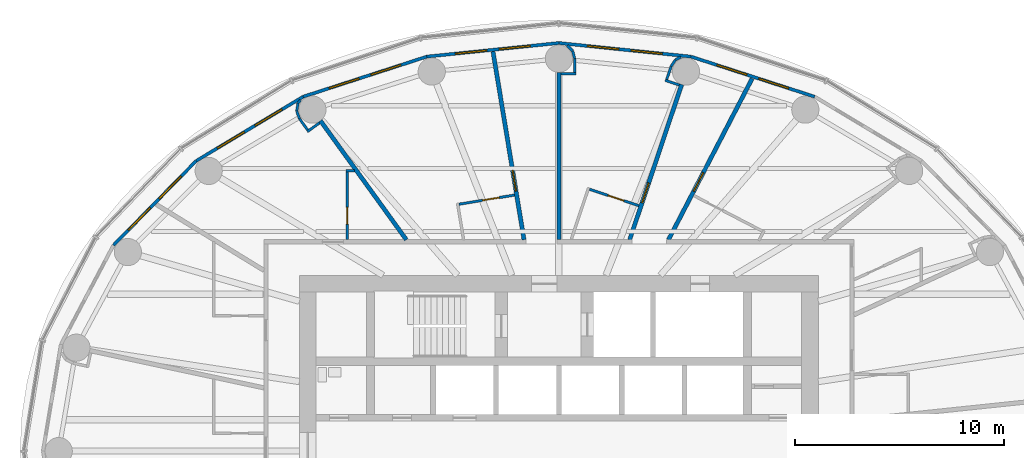
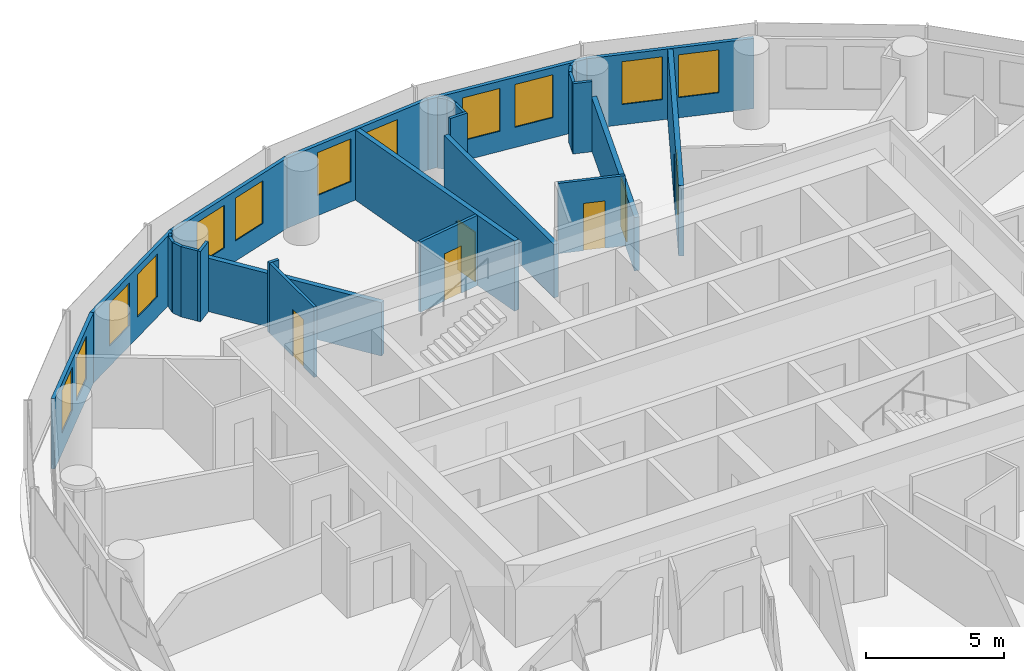
# One storey, part 11 of 14: 28 walls, 12 windows, 6 doors, 18 openings.
"""IFC4 building model written with IfcOpenShell, lengths in metres."""

from ifc_helpers import new_model, si_unit, direction, frame, frame_2d, origin, place, context, subcontext, project, spatial, rectangle, extrude, material, layer, layer_set, type_object, element, fill, save


model = new_model("IFC4")

# Units and contexts
model_context = context("Model", 3, precision=1e-05, world=origin(), true_north=direction((0.0, 1.0)))
body_context = subcontext(model_context, "Body", "Model", "MODEL_VIEW")
ifc_project = project(units=[si_unit("LENGTHUNIT", "METRE"), si_unit("AREAUNIT", "SQUARE_METRE"), si_unit("VOLUMEUNIT", "CUBIC_METRE"), si_unit("PLANEANGLEUNIT", "RADIAN"), si_unit("MASSUNIT", "GRAM", prefix="KILO")], contexts=[model_context])

# Site, building, storey
site_placement = place(None, origin())
site = spatial("IfcSite", under=ifc_project, at=site_placement, CompositionType="ELEMENT")
building_placement = place(site_placement, origin())
building = spatial("IfcBuilding", under=site, at=building_placement, Name="Hankou Lantern Tower", CompositionType="ELEMENT")
storey_placement = place(building_placement, frame((0.0, 0.0, 115.5)))
storey = spatial("IfcBuildingStorey", under=building, at=storey_placement, Name="L29", CompositionType="ELEMENT", Elevation=115.5)

# Wall, openings, windows
ifc_material_1 = material(Name="Aluminium spandrel panel on steel studs", Category="steel")
ifc_layer_1 = layer(ifc_material_1, 0.14990234375)
ifc_layer_set_1 = layer_set([ifc_layer_1], Name="Aluminium spandrel panel on steel studs")
wall_type_1 = type_object("IfcWallType", Name="EW1 INNER SKIN WALL 150", PredefinedType="ELEMENTEDWALL", material=ifc_layer_set_1)
wall_1_placement = place(storey_placement, frame((12.221435546875, 16.9345703125, 0.0), z_axis=(0.0, 0.0, 1.0), x_axis=(-0.951272691506, 0.308350881944, 0.0)))
wall_1 = element("IfcWall", 1, at=wall_1_placement, inside=storey, type_object=wall_type_1, Name="Inner skin R05-R06 L29", PredefinedType="ELEMENTEDWALL", context=body_context, shape_type="SweptSolid", body=[
    extrude(rectangle(XDim=6.210693359375, YDim=0.14990234375, at=frame_2d((3.10546875, 0.0))), origin(), (0.0, 0.0, 1.0), 3.1201171875),
])
opening_1_placement = place(wall_1_placement, frame((1.305419921875, 0.0, 0.89990234375)))
opening_1 = element("IfcOpeningElement", 2, at=opening_1_placement, cuts=wall_1, Name="Opening W2", PredefinedType="OPENING", context=body_context, shape_type="SweptSolid", body=[
    extrude(rectangle(XDim=1.5, YDim=1.89990234375, at=frame_2d((0.75, 0.949951171875))), frame((0.0, 0.0849609375, 0.0), z_axis=(0.0, -1.0, 0.0), x_axis=(1.0, 0.0, 0.0)), (0.0, 0.0, 1.0), 0.169921875),
])
opening_2_placement = place(wall_1_placement, frame((3.4052734375, 0.0, 0.89990234375)))
opening_2 = element("IfcOpeningElement", 3, at=opening_2_placement, cuts=wall_1, Name="Opening W2", PredefinedType="OPENING", context=body_context, shape_type="SweptSolid", body=[
    extrude(rectangle(XDim=1.5, YDim=1.89990234375, at=frame_2d((0.75, 0.949951171875))), frame((0.0, 0.0849609375, 0.0), z_axis=(0.0, -1.0, 0.0), x_axis=(1.0, 0.0, 0.0)), (0.0, 0.0, 1.0), 0.169921875),
])
ifc_material_2 = material(Name="Aluminium framed double glazed window", Category="aluminium")
window_type = type_object("IfcWindowType", Name="W2 GUEST ROOM WINDOW 1500X1900", PartitioningType="DOUBLE_PANEL_VERTICAL", PredefinedType="WINDOW", material=ifc_material_2)
window_1_placement = place(opening_1_placement, origin())
window_1 = element("IfcWindow", 4, at=window_1_placement, inside=storey, type_object=window_type, Name="Window R05.1 L29", OverallHeight=1.89990234375, OverallWidth=1.5, PartitioningType="SINGLE_PANEL", PredefinedType="WINDOW", context=body_context, shape_type="SweptSolid", body=[
    extrude(rectangle(XDim=1.5, YDim=1.89990234375, at=frame_2d((0.75, 0.949951171875))), frame((0.0, 0.030029296875, 0.0), z_axis=(0.0, -1.0, 0.0), x_axis=(1.0, 0.0, 0.0)), (0.0, 0.0, 1.0), 0.06005859375),
])
fill(opening_1, window_1)
window_2_placement = place(opening_2_placement, origin())
window_2 = element("IfcWindow", 5, at=window_2_placement, inside=storey, type_object=window_type, Name="Window R05.2 L29", OverallHeight=1.89990234375, OverallWidth=1.5, PartitioningType="SINGLE_PANEL", PredefinedType="WINDOW", context=body_context, shape_type="SweptSolid", body=[
    extrude(rectangle(XDim=1.5, YDim=1.89990234375, at=frame_2d((0.75, 0.949951171875))), frame((0.0, 0.030029296875, 0.0), z_axis=(0.0, -1.0, 0.0), x_axis=(1.0, 0.0, 0.0)), (0.0, 0.0, 1.0), 0.06005859375),
])
fill(opening_2, window_2)

wall_2_placement = place(storey_placement, frame((6.3134765625, 18.849609375, 0.0), z_axis=(0.0, 0.0, 1.0), x_axis=(-0.994735690163, 0.102473931887, 0.0)))
wall_2 = element("IfcWall", 6, at=wall_2_placement, inside=storey, type_object=wall_type_1, Name="Inner skin R06-R07 L29", PredefinedType="ELEMENTEDWALL", context=body_context, shape_type="SweptSolid", body=[
    extrude(rectangle(XDim=6.346923828125, YDim=0.14990234375, at=frame_2d((3.17333984375, 0.0))), origin(), (0.0, 0.0, 1.0), 3.1201171875),
])
opening_3_placement = place(wall_2_placement, frame((1.373291015625, 0.0, 0.89990234375)))
opening_3 = element("IfcOpeningElement", 7, at=opening_3_placement, cuts=wall_2, Name="Opening W2", PredefinedType="OPENING", context=body_context, shape_type="SweptSolid", body=[
    extrude(rectangle(XDim=1.5, YDim=1.89990234375, at=frame_2d((0.75, 0.949951171875))), frame((0.0, 0.0849609375, 0.0), z_axis=(0.0, -1.0, 0.0), x_axis=(1.0, 0.0, 0.0)), (0.0, 0.0, 1.0), 0.169921875),
])
opening_4_placement = place(wall_2_placement, frame((3.473388671875, 0.0, 0.89990234375)))
opening_4 = element("IfcOpeningElement", 8, at=opening_4_placement, cuts=wall_2, Name="Opening W2", PredefinedType="OPENING", context=body_context, shape_type="SweptSolid", body=[
    extrude(rectangle(XDim=1.5, YDim=1.89990234375, at=frame_2d((0.75, 0.949951171875))), frame((0.0, 0.0849609375, 0.0), z_axis=(0.0, -1.0, 0.0), x_axis=(1.0, 0.0, 0.0)), (0.0, 0.0, 1.0), 0.169921875),
])
window_3_placement = place(opening_3_placement, origin())
window_3 = element("IfcWindow", 9, at=window_3_placement, inside=storey, type_object=window_type, Name="Window R06.1 L29", OverallHeight=1.89990234375, OverallWidth=1.5, PartitioningType="SINGLE_PANEL", PredefinedType="WINDOW", context=body_context, shape_type="SweptSolid", body=[
    extrude(rectangle(XDim=1.5, YDim=1.89990234375, at=frame_2d((0.75, 0.949951171875))), frame((0.0, 0.030029296875, 0.0), z_axis=(0.0, -1.0, 0.0), x_axis=(1.0, 0.0, 0.0)), (0.0, 0.0, 1.0), 0.06005859375),
])
fill(opening_3, window_3)
window_4_placement = place(opening_4_placement, origin())
window_4 = element("IfcWindow", 10, at=window_4_placement, inside=storey, type_object=window_type, Name="Window R06.2 L29", OverallHeight=1.89990234375, OverallWidth=1.5, PartitioningType="SINGLE_PANEL", PredefinedType="WINDOW", context=body_context, shape_type="SweptSolid", body=[
    extrude(rectangle(XDim=1.5, YDim=1.89990234375, at=frame_2d((0.75, 0.949951171875))), frame((0.0, 0.030029296875, 0.0), z_axis=(0.0, -1.0, 0.0), x_axis=(1.0, 0.0, 0.0)), (0.0, 0.0, 1.0), 0.06005859375),
])
fill(opening_4, window_4)

wall_3_placement = place(storey_placement, frame((0.0, 19.5, 0.0), z_axis=(0.0, 0.0, 1.0), x_axis=(-0.994735690163, -0.102473931887, 0.0)))
wall_3 = element("IfcWall", 11, at=wall_3_placement, inside=storey, type_object=wall_type_1, Name="Inner skin R07-R08 L29", PredefinedType="ELEMENTEDWALL", context=body_context, shape_type="SweptSolid", body=[
    extrude(rectangle(XDim=6.346923828125, YDim=0.14990234375, at=frame_2d((3.17333984375, 0.0))), origin(), (0.0, 0.0, 1.0), 3.1201171875),
])
opening_5_placement = place(wall_3_placement, frame((1.373291015625, 0.0, 0.89990234375)))
opening_5 = element("IfcOpeningElement", 12, at=opening_5_placement, cuts=wall_3, Name="Opening W2", PredefinedType="OPENING", context=body_context, shape_type="SweptSolid", body=[
    extrude(rectangle(XDim=1.5, YDim=1.89990234375, at=frame_2d((0.75, 0.949951171875))), frame((0.0, 0.0849609375, 0.0), z_axis=(0.0, -1.0, 0.0), x_axis=(1.0, 0.0, 0.0)), (0.0, 0.0, 1.0), 0.169921875),
])
opening_6_placement = place(wall_3_placement, frame((3.473388671875, 0.0, 0.89990234375)))
opening_6 = element("IfcOpeningElement", 13, at=opening_6_placement, cuts=wall_3, Name="Opening W2", PredefinedType="OPENING", context=body_context, shape_type="SweptSolid", body=[
    extrude(rectangle(XDim=1.5, YDim=1.89990234375, at=frame_2d((0.75, 0.949951171875))), frame((0.0, 0.0849609375, 0.0), z_axis=(0.0, -1.0, 0.0), x_axis=(1.0, 0.0, 0.0)), (0.0, 0.0, 1.0), 0.169921875),
])
window_5_placement = place(opening_5_placement, origin())
window_5 = element("IfcWindow", 14, at=window_5_placement, inside=storey, type_object=window_type, Name="Window R07.1 L29", OverallHeight=1.89990234375, OverallWidth=1.5, PartitioningType="SINGLE_PANEL", PredefinedType="WINDOW", context=body_context, shape_type="SweptSolid", body=[
    extrude(rectangle(XDim=1.5, YDim=1.89990234375, at=frame_2d((0.75, 0.949951171875))), frame((0.0, 0.030029296875, 0.0), z_axis=(0.0, -1.0, 0.0), x_axis=(1.0, 0.0, 0.0)), (0.0, 0.0, 1.0), 0.06005859375),
])
fill(opening_5, window_5)
window_6_placement = place(opening_6_placement, origin())
window_6 = element("IfcWindow", 15, at=window_6_placement, inside=storey, type_object=window_type, Name="Window R07.2 L29", OverallHeight=1.89990234375, OverallWidth=1.5, PartitioningType="SINGLE_PANEL", PredefinedType="WINDOW", context=body_context, shape_type="SweptSolid", body=[
    extrude(rectangle(XDim=1.5, YDim=1.89990234375, at=frame_2d((0.75, 0.949951171875))), frame((0.0, 0.030029296875, 0.0), z_axis=(0.0, -1.0, 0.0), x_axis=(1.0, 0.0, 0.0)), (0.0, 0.0, 1.0), 0.06005859375),
])
fill(opening_6, window_6)

wall_4_placement = place(storey_placement, frame((-6.3134765625, 18.849609375, 0.0), z_axis=(0.0, 0.0, 1.0), x_axis=(-0.951272691506, -0.308350881944, 0.0)))
wall_4 = element("IfcWall", 16, at=wall_4_placement, inside=storey, type_object=wall_type_1, Name="Inner skin R08-R09 L29", PredefinedType="ELEMENTEDWALL", context=body_context, shape_type="SweptSolid", body=[
    extrude(rectangle(XDim=6.210693359375, YDim=0.14990234375, at=frame_2d((3.10546875, 0.0))), origin(), (0.0, 0.0, 1.0), 3.1201171875),
])
opening_7_placement = place(wall_4_placement, frame((1.305419921875, 0.0, 0.89990234375)))
opening_7 = element("IfcOpeningElement", 17, at=opening_7_placement, cuts=wall_4, Name="Opening W2", PredefinedType="OPENING", context=body_context, shape_type="SweptSolid", body=[
    extrude(rectangle(XDim=1.5, YDim=1.89990234375, at=frame_2d((0.75, 0.949951171875))), frame((0.0, 0.0849609375, 0.0), z_axis=(0.0, -1.0, 0.0), x_axis=(1.0, 0.0, 0.0)), (0.0, 0.0, 1.0), 0.169921875),
])
opening_8_placement = place(wall_4_placement, frame((3.4052734375, 0.0, 0.89990234375)))
opening_8 = element("IfcOpeningElement", 18, at=opening_8_placement, cuts=wall_4, Name="Opening W2", PredefinedType="OPENING", context=body_context, shape_type="SweptSolid", body=[
    extrude(rectangle(XDim=1.5, YDim=1.89990234375, at=frame_2d((0.75, 0.949951171875))), frame((0.0, 0.0849609375, 0.0), z_axis=(0.0, -1.0, 0.0), x_axis=(1.0, 0.0, 0.0)), (0.0, 0.0, 1.0), 0.169921875),
])
window_7_placement = place(opening_7_placement, origin())
window_7 = element("IfcWindow", 19, at=window_7_placement, inside=storey, type_object=window_type, Name="Window R08.1 L29", OverallHeight=1.89990234375, OverallWidth=1.5, PartitioningType="SINGLE_PANEL", PredefinedType="WINDOW", context=body_context, shape_type="SweptSolid", body=[
    extrude(rectangle(XDim=1.5, YDim=1.89990234375, at=frame_2d((0.75, 0.949951171875))), frame((0.0, 0.030029296875, 0.0), z_axis=(0.0, -1.0, 0.0), x_axis=(1.0, 0.0, 0.0)), (0.0, 0.0, 1.0), 0.06005859375),
])
fill(opening_7, window_7)
window_8_placement = place(opening_8_placement, origin())
window_8 = element("IfcWindow", 20, at=window_8_placement, inside=storey, type_object=window_type, Name="Window R08.2 L29", OverallHeight=1.89990234375, OverallWidth=1.5, PartitioningType="SINGLE_PANEL", PredefinedType="WINDOW", context=body_context, shape_type="SweptSolid", body=[
    extrude(rectangle(XDim=1.5, YDim=1.89990234375, at=frame_2d((0.75, 0.949951171875))), frame((0.0, 0.030029296875, 0.0), z_axis=(0.0, -1.0, 0.0), x_axis=(1.0, 0.0, 0.0)), (0.0, 0.0, 1.0), 0.06005859375),
])
fill(opening_8, window_8)

wall_5_placement = place(storey_placement, frame((-12.221435546875, 16.9345703125, 0.0), z_axis=(0.0, 0.0, 1.0), x_axis=(-0.857308573723, -0.514802884044, 0.0)))
wall_5 = element("IfcWall", 21, at=wall_5_placement, inside=storey, type_object=wall_type_1, Name="Inner skin R09-R10 L29", PredefinedType="ELEMENTEDWALL", context=body_context, shape_type="SweptSolid", body=[
    extrude(rectangle(XDim=5.961181640625, YDim=0.14990234375, at=frame_2d((2.98046875, 0.0))), origin(), (0.0, 0.0, 1.0), 3.1201171875),
])
opening_9_placement = place(wall_5_placement, frame((1.1806640625, 0.0, 0.89990234375)))
opening_9 = element("IfcOpeningElement", 22, at=opening_9_placement, cuts=wall_5, Name="Opening W2", PredefinedType="OPENING", context=body_context, shape_type="SweptSolid", body=[
    extrude(rectangle(XDim=1.5, YDim=1.89990234375, at=frame_2d((0.75, 0.949951171875))), frame((0.0, 0.0849609375, 0.0), z_axis=(0.0, -1.0, 0.0), x_axis=(1.0, 0.0, 0.0)), (0.0, 0.0, 1.0), 0.169921875),
])
opening_10_placement = place(wall_5_placement, frame((3.280517578125, 0.0, 0.89990234375)))
opening_10 = element("IfcOpeningElement", 23, at=opening_10_placement, cuts=wall_5, Name="Opening W2", PredefinedType="OPENING", context=body_context, shape_type="SweptSolid", body=[
    extrude(rectangle(XDim=1.5, YDim=1.89990234375, at=frame_2d((0.75, 0.949951171875))), frame((0.0, 0.0849609375, 0.0), z_axis=(0.0, -1.0, 0.0), x_axis=(1.0, 0.0, 0.0)), (0.0, 0.0, 1.0), 0.169921875),
])
window_9_placement = place(opening_9_placement, origin())
window_9 = element("IfcWindow", 24, at=window_9_placement, inside=storey, type_object=window_type, Name="Window R09.1 L29", OverallHeight=1.89990234375, OverallWidth=1.5, PartitioningType="SINGLE_PANEL", PredefinedType="WINDOW", context=body_context, shape_type="SweptSolid", body=[
    extrude(rectangle(XDim=1.5, YDim=1.89990234375, at=frame_2d((0.75, 0.949951171875))), frame((0.0, 0.030029296875, 0.0), z_axis=(0.0, -1.0, 0.0), x_axis=(1.0, 0.0, 0.0)), (0.0, 0.0, 1.0), 0.06005859375),
])
fill(opening_9, window_9)
window_10_placement = place(opening_10_placement, origin())
window_10 = element("IfcWindow", 25, at=window_10_placement, inside=storey, type_object=window_type, Name="Window R09.2 L29", OverallHeight=1.89990234375, OverallWidth=1.5, PartitioningType="SINGLE_PANEL", PredefinedType="WINDOW", context=body_context, shape_type="SweptSolid", body=[
    extrude(rectangle(XDim=1.5, YDim=1.89990234375, at=frame_2d((0.75, 0.949951171875))), frame((0.0, 0.030029296875, 0.0), z_axis=(0.0, -1.0, 0.0), x_axis=(1.0, 0.0, 0.0)), (0.0, 0.0, 1.0), 0.06005859375),
])
fill(opening_10, window_10)

wall_6_placement = place(storey_placement, frame((-17.33203125, 13.86572265625, 0.0), z_axis=(0.0, 0.0, 1.0), x_axis=(-0.700136650834, -0.714008872605, 0.0)))
wall_6 = element("IfcWall", 26, at=wall_6_placement, inside=storey, type_object=wall_type_1, Name="Inner skin R10-R11 L29", PredefinedType="ELEMENTEDWALL", context=body_context, shape_type="SweptSolid", body=[
    extrude(rectangle(XDim=5.6494140625, YDim=0.14990234375, at=frame_2d((2.82470703125, 0.0))), origin(), (0.0, 0.0, 1.0), 3.1201171875),
])
opening_11_placement = place(wall_6_placement, frame((1.024658203125, 0.0, 0.89990234375)))
opening_11 = element("IfcOpeningElement", 27, at=opening_11_placement, cuts=wall_6, Name="Opening W2", PredefinedType="OPENING", context=body_context, shape_type="SweptSolid", body=[
    extrude(rectangle(XDim=1.5, YDim=1.89990234375, at=frame_2d((0.75, 0.949951171875))), frame((0.0, 0.0849609375, 0.0), z_axis=(0.0, -1.0, 0.0), x_axis=(1.0, 0.0, 0.0)), (0.0, 0.0, 1.0), 0.169921875),
])
opening_12_placement = place(wall_6_placement, frame((3.12451171875, 0.0, 0.89990234375)))
opening_12 = element("IfcOpeningElement", 28, at=opening_12_placement, cuts=wall_6, Name="Opening W2", PredefinedType="OPENING", context=body_context, shape_type="SweptSolid", body=[
    extrude(rectangle(XDim=1.5, YDim=1.89990234375, at=frame_2d((0.75, 0.949951171875))), frame((0.0, 0.0849609375, 0.0), z_axis=(0.0, -1.0, 0.0), x_axis=(1.0, 0.0, 0.0)), (0.0, 0.0, 1.0), 0.169921875),
])
window_11_placement = place(opening_11_placement, origin())
window_11 = element("IfcWindow", 29, at=window_11_placement, inside=storey, type_object=window_type, Name="Window R10.1 L29", OverallHeight=1.89990234375, OverallWidth=1.5, PartitioningType="SINGLE_PANEL", PredefinedType="WINDOW", context=body_context, shape_type="SweptSolid", body=[
    extrude(rectangle(XDim=1.5, YDim=1.89990234375, at=frame_2d((0.75, 0.949951171875))), frame((0.0, 0.030029296875, 0.0), z_axis=(0.0, -1.0, 0.0), x_axis=(1.0, 0.0, 0.0)), (0.0, 0.0, 1.0), 0.06005859375),
])
fill(opening_11, window_11)
window_12_placement = place(opening_12_placement, origin())
window_12 = element("IfcWindow", 30, at=window_12_placement, inside=storey, type_object=window_type, Name="Window R10.2 L29", OverallHeight=1.89990234375, OverallWidth=1.5, PartitioningType="SINGLE_PANEL", PredefinedType="WINDOW", context=body_context, shape_type="SweptSolid", body=[
    extrude(rectangle(XDim=1.5, YDim=1.89990234375, at=frame_2d((0.75, 0.949951171875))), frame((0.0, 0.030029296875, 0.0), z_axis=(0.0, -1.0, 0.0), x_axis=(1.0, 0.0, 0.0)), (0.0, 0.0, 1.0), 0.06005859375),
])
fill(opening_12, window_12)

# Wall
ifc_material_3 = material(Name="Masonry lightweight concrete block", Category="masonry")
ifc_layer_2 = layer(ifc_material_3, 0.199951171875)
ifc_layer_set_2 = layer_set([ifc_layer_2], Name="Masonry lightweight concrete block")
wall_type_2 = type_object("IfcWallType", Name="IW1 GUEST ROOM PARTY WALL 200", PredefinedType="PARTITIONING", material=ifc_layer_set_2)
wall_7_placement = place(storey_placement, frame((-7.2890625, 10.10009765625, 0.0), z_axis=(0.0, 0.0, 1.0), x_axis=(-0.585217367024, 0.81087645997, 0.0)))
element("IfcWall", 31, at=wall_7_placement, inside=storey, type_object=wall_type_2, Name="Party wall R09", PredefinedType="PARTITIONING", context=body_context, shape_type="SweptSolid", body=[
    extrude(rectangle(XDim=7.01611328125, YDim=0.199951171875, at=frame_2d((3.508056640625, 0.0))), origin(), (0.0, 0.0, 1.0), 2.3701171875),
])

# Wall, opening, door
ifc_material_4 = material(Name="Masonry lightweight concrete block", Category="masonry")
ifc_layer_3 = layer(ifc_material_4, 0.199951171875)
ifc_layer_set_3 = layer_set([ifc_layer_3], Name="Masonry lightweight concrete block")
wall_type_3 = type_object("IfcWallType", Name="IW2 CORRIDOR WALL 200", PredefinedType="PARTITIONING", material=ifc_layer_set_3)
wall_8_placement = place(storey_placement, frame((5.2392578125, 10.10009765625, 0.0), z_axis=(0.0, 0.0, 1.0), x_axis=(0.4604797896, 0.887670188398, 0.0)))
wall_8 = element("IfcWall", 32, at=wall_8_placement, inside=storey, type_object=wall_type_3, Name="Corridor spur wall R05-R06", PredefinedType="PARTITIONING", context=body_context, shape_type="SweptSolid", body=[
    extrude(rectangle(XDim=8.676025390625, YDim=0.199951171875, at=frame_2d((4.337890625, 0.0))), origin(), (0.0, 0.0, 1.0), 3.1201171875),
])
opening_13_placement = place(wall_8_placement, frame((2.610107421875, 0.0, 0.0)))
opening_13 = element("IfcOpeningElement", 33, at=opening_13_placement, cuts=wall_8, Name="Opening D1", PredefinedType="OPENING", context=body_context, shape_type="SweptSolid", body=[
    extrude(rectangle(XDim=1.0, YDim=2.199951171875, at=frame_2d((0.5, 1.10009765625))), frame((0.0, 0.10986328125, 0.0), z_axis=(0.0, -1.0, 0.0), x_axis=(1.0, 0.0, 0.0)), (0.0, 0.0, 1.0), 0.219970703125),
])
ifc_material_5 = material(Name="Steel door leaf", Category="steel")
door_type_1 = type_object("IfcDoorType", Name="D1 GUEST ROOM DOOR 1000X2200", OperationType="SINGLE_SWING_LEFT", PredefinedType="DOOR", material=ifc_material_5)
door_1_placement = place(opening_13_placement, origin())
door_1 = element("IfcDoor", 34, at=door_1_placement, inside=storey, type_object=door_type_1, Name="Guest room door 2920", OperationType="SINGLE_SWING_RIGHT", OverallHeight=2.199951171875, OverallWidth=1.0, PredefinedType="DOOR", context=body_context, shape_type="SweptSolid", body=[
    extrude(rectangle(XDim=1.0, YDim=2.199951171875, at=frame_2d((0.5, 1.10009765625))), frame((0.0, 0.02490234375, 0.0), z_axis=(0.0, -1.0, 0.0), x_axis=(1.0, 0.0, 0.0)), (0.0, 0.0, 1.0), 0.050048828125),
])
fill(opening_13, door_1)

wall_9_placement = place(storey_placement, frame((3.3828125, 10.10009765625, 0.0), z_axis=(0.0, 0.0, 1.0), x_axis=(0.317603705574, 0.948223542318, 0.0)))
wall_9 = element("IfcWall", 35, at=wall_9_placement, inside=storey, type_object=wall_type_3, Name="Corridor spur wall R06", PredefinedType="PARTITIONING", context=body_context, shape_type="SweptSolid", body=[
    extrude(rectangle(XDim=7.822998046875, YDim=0.199951171875, at=frame_2d((3.91162109375, 0.0))), origin(), (0.0, 0.0, 1.0), 2.3701171875),
])
opening_14_placement = place(wall_9_placement, frame((1.860107421875, 0.0, 0.0)))
opening_14 = element("IfcOpeningElement", 36, at=opening_14_placement, cuts=wall_9, Name="Opening D1", PredefinedType="OPENING", context=body_context, shape_type="SweptSolid", body=[
    extrude(rectangle(XDim=1.0, YDim=2.199951171875, at=frame_2d((0.5, 1.10009765625))), frame((0.0, 0.10986328125, 0.0), z_axis=(0.0, -1.0, 0.0), x_axis=(1.0, 0.0, 0.0)), (0.0, 0.0, 1.0), 0.219970703125),
])
door_2_placement = place(opening_14_placement, origin())
door_2 = element("IfcDoor", 37, at=door_2_placement, inside=storey, type_object=door_type_1, Name="Guest room door 2902", OperationType="SINGLE_SWING_LEFT", OverallHeight=2.199951171875, OverallWidth=1.0, PredefinedType="DOOR", context=body_context, shape_type="SweptSolid", body=[
    extrude(rectangle(XDim=1.0, YDim=2.199951171875, at=frame_2d((0.5, 1.10009765625))), frame((0.0, 0.02490234375, 0.0), z_axis=(0.0, -1.0, 0.0), x_axis=(1.0, 0.0, 0.0)), (0.0, 0.0, 1.0), 0.050048828125),
])
fill(opening_14, door_2)

# Wall
wall_10_placement = place(storey_placement, frame((0.0, 10.10009765625, 0.0), z_axis=(0.0, 0.0, 1.0), x_axis=(0.0, 1.0, 0.0)))
element("IfcWall", 38, at=wall_10_placement, inside=storey, type_object=wall_type_3, Name="Corridor spur wall R07", PredefinedType="PARTITIONING", context=body_context, shape_type="SweptSolid", body=[
    extrude(rectangle(XDim=8.0, YDim=0.199951171875, at=frame_2d((4.0, 0.0))), origin(), (0.0, 0.0, 1.0), 2.3701171875),
])

# Wall, opening, door
wall_11_placement = place(storey_placement, frame((-1.665283203125, 10.10009765625, 0.0), z_axis=(0.0, 0.0, 1.0), x_axis=(-0.162660519103, 0.986682094459, 0.0)))
wall_11 = element("IfcWall", 39, at=wall_11_placement, inside=storey, type_object=wall_type_3, Name="Corridor spur wall R07-R08", PredefinedType="PARTITIONING", context=body_context, shape_type="SweptSolid", body=[
    extrude(rectangle(XDim=9.110595703125, YDim=0.199951171875, at=frame_2d((4.55517578125, 0.0))), origin(), (0.0, 0.0, 1.0), 3.1201171875),
])
opening_15_placement = place(wall_11_placement, frame((2.360107421875, 0.0, 0.0)))
opening_15 = element("IfcOpeningElement", 40, at=opening_15_placement, cuts=wall_11, Name="Opening D1", PredefinedType="OPENING", context=body_context, shape_type="SweptSolid", body=[
    extrude(rectangle(XDim=1.0, YDim=2.199951171875, at=frame_2d((0.5, 1.10009765625))), frame((0.0, 0.10986328125, 0.0), z_axis=(0.0, -1.0, 0.0), x_axis=(1.0, 0.0, 0.0)), (0.0, 0.0, 1.0), 0.219970703125),
])
door_3_placement = place(opening_15_placement, origin())
door_3 = element("IfcDoor", 41, at=door_3_placement, inside=storey, type_object=door_type_1, Name="Guest room door 2904", OperationType="SINGLE_SWING_LEFT", OverallHeight=2.199951171875, OverallWidth=1.0, PredefinedType="DOOR", context=body_context, shape_type="SweptSolid", body=[
    extrude(rectangle(XDim=1.0, YDim=2.199951171875, at=frame_2d((0.5, 1.10009765625))), frame((0.0, 0.02490234375, 0.0), z_axis=(0.0, -1.0, 0.0), x_axis=(1.0, 0.0, 0.0)), (0.0, 0.0, 1.0), 0.050048828125),
])
fill(opening_15, door_3)

ifc_material_6 = material(Name="Masonry lightweight concrete block", Category="masonry")
ifc_layer_4 = layer(ifc_material_6, 0.1201171875)
ifc_layer_set_4 = layer_set([ifc_layer_4], Name="Masonry lightweight concrete block")
wall_type_4 = type_object("IfcWallType", Name="IW3 BATHROOM WALL 120", PredefinedType="PARTITIONING", material=ifc_layer_set_4)
wall_12_placement = place(storey_placement, frame((3.821533203125, 11.724853515625, 0.0), z_axis=(0.0, 0.0, 1.0), x_axis=(-0.948231307998, 0.317580519761, 0.0)))
wall_12 = element("IfcWall", 42, at=wall_12_placement, inside=storey, type_object=wall_type_4, Name="Box wall 2902 1", PredefinedType="PARTITIONING", context=body_context, shape_type="SweptSolid", body=[
    extrude(rectangle(XDim=2.489990234375, YDim=0.1201171875, at=frame_2d((1.2451171875, 0.0))), origin(), (0.0, 0.0, 1.0), 3.1201171875),
])
opening_16_placement = place(wall_12_placement, frame((0.75, 0.0, 0.0)))
opening_16 = element("IfcOpeningElement", 43, at=opening_16_placement, cuts=wall_12, Name="Opening D3", PredefinedType="OPENING", context=body_context, shape_type="SweptSolid", body=[
    extrude(rectangle(XDim=0.800048828125, YDim=2.10009765625, at=frame_2d((0.39990234375, 1.050048828125))), frame((0.0, 0.070068359375, 0.0), z_axis=(0.0, -1.0, 0.0), x_axis=(1.0, 0.0, 0.0)), (0.0, 0.0, 1.0), 0.14013671875),
])
ifc_material_7 = material(Name="Timber door leaf", Category="wood")
door_type_2 = type_object("IfcDoorType", Name="D3 BATHROOM DOOR 800X2100", OperationType="SINGLE_SWING_LEFT", PredefinedType="DOOR", material=ifc_material_7)
door_4_placement = place(opening_16_placement, origin())
door_4 = element("IfcDoor", 44, at=door_4_placement, inside=storey, type_object=door_type_2, Name="En-suite bathroom 2902 door", OperationType="SINGLE_SWING_LEFT", OverallHeight=2.10009765625, OverallWidth=0.800048828125, PredefinedType="DOOR", context=body_context, shape_type="SweptSolid", body=[
    extrude(rectangle(XDim=0.800048828125, YDim=2.10009765625, at=frame_2d((0.39990234375, 1.050048828125))), frame((0.0, 0.02490234375, 0.0), z_axis=(0.0, -1.0, 0.0), x_axis=(1.0, 0.0, 0.0)), (0.0, 0.0, 1.0), 0.050048828125),
])
fill(opening_16, door_4)

wall_13_placement = place(storey_placement, frame((-2.118408203125, 12.234619140625, 0.0), z_axis=(0.0, 0.0, 1.0), x_axis=(-0.986686682911, -0.16263268357, 0.0)))
wall_13 = element("IfcWall", 45, at=wall_13_placement, inside=storey, type_object=wall_type_4, Name="Box wall 2904 1", PredefinedType="PARTITIONING", context=body_context, shape_type="SweptSolid", body=[
    extrude(rectangle(XDim=2.690185546875, YDim=0.1201171875, at=frame_2d((1.34521484375, 0.0))), origin(), (0.0, 0.0, 1.0), 3.1201171875),
])
opening_17_placement = place(wall_13_placement, frame((0.75, 0.0, 0.0)))
opening_17 = element("IfcOpeningElement", 46, at=opening_17_placement, cuts=wall_13, Name="Opening D3", PredefinedType="OPENING", context=body_context, shape_type="SweptSolid", body=[
    extrude(rectangle(XDim=0.800048828125, YDim=2.10009765625, at=frame_2d((0.39990234375, 1.050048828125))), frame((0.0, 0.070068359375, 0.0), z_axis=(0.0, -1.0, 0.0), x_axis=(1.0, 0.0, 0.0)), (0.0, 0.0, 1.0), 0.14013671875),
])
door_5_placement = place(opening_17_placement, origin())
door_5 = element("IfcDoor", 47, at=door_5_placement, inside=storey, type_object=door_type_2, Name="En-suite bathroom 2904 door", OperationType="SINGLE_SWING_LEFT", OverallHeight=2.10009765625, OverallWidth=0.800048828125, PredefinedType="DOOR", context=body_context, shape_type="SweptSolid", body=[
    extrude(rectangle(XDim=0.800048828125, YDim=2.10009765625, at=frame_2d((0.39990234375, 1.050048828125))), frame((0.0, 0.02490234375, 0.0), z_axis=(0.0, -1.0, 0.0), x_axis=(1.0, 0.0, 0.0)), (0.0, 0.0, 1.0), 0.050048828125),
])
fill(opening_17, door_5)

# Wall
wall_14_placement = place(storey_placement, frame((-9.7705078125, 13.39990234375, 0.0), z_axis=(0.0, 0.0, 1.0), x_axis=(-1.0, 0.0, 0.0)))
element("IfcWall", 48, at=wall_14_placement, inside=storey, type_object=wall_type_4, Name="Box wall 2905 1", PredefinedType="PARTITIONING", context=body_context, shape_type="SweptSolid", body=[
    extrude(rectangle(XDim=0.408447265625, YDim=0.1201171875, at=frame_2d((0.2041015625, 0.0))), origin(), (0.0, 0.0, 1.0), 3.1201171875),
])

# Wall, opening, door
wall_15_placement = place(storey_placement, frame((-10.119140625, 10.10009765625, 0.0), z_axis=(0.0, 0.0, 1.0), x_axis=(0.0, 1.0, 0.0)))
wall_15 = element("IfcWall", 49, at=wall_15_placement, inside=storey, type_object=wall_type_4, Name="Box wall 2905 1", PredefinedType="PARTITIONING", context=body_context, shape_type="SweptSolid", body=[
    extrude(rectangle(XDim=3.239990234375, YDim=0.1201171875, at=frame_2d((1.6201171875, 0.0))), origin(), (0.0, 0.0, 1.0), 3.1201171875),
])
opening_18_placement = place(wall_15_placement, frame((0.75, 0.0, 0.0)))
opening_18 = element("IfcOpeningElement", 50, at=opening_18_placement, cuts=wall_15, Name="Opening D3", PredefinedType="OPENING", context=body_context, shape_type="SweptSolid", body=[
    extrude(rectangle(XDim=0.800048828125, YDim=2.10009765625, at=frame_2d((0.39990234375, 1.050048828125))), frame((0.0, 0.070068359375, 0.0), z_axis=(0.0, -1.0, 0.0), x_axis=(1.0, 0.0, 0.0)), (0.0, 0.0, 1.0), 0.14013671875),
])
door_6_placement = place(opening_18_placement, origin())
door_6 = element("IfcDoor", 51, at=door_6_placement, inside=storey, type_object=door_type_2, Name="En-suite bathroom 2905 door", OperationType="SINGLE_SWING_LEFT", OverallHeight=2.10009765625, OverallWidth=0.800048828125, PredefinedType="DOOR", context=body_context, shape_type="SweptSolid", body=[
    extrude(rectangle(XDim=0.800048828125, YDim=2.10009765625, at=frame_2d((0.39990234375, 1.050048828125))), frame((0.0, 0.02490234375, 0.0), z_axis=(0.0, -1.0, 0.0), x_axis=(1.0, 0.0, 0.0)), (0.0, 0.0, 1.0), 0.050048828125),
])
fill(opening_18, door_6)

# Walls
ifc_material_8 = material(Name="Masonry lightweight concrete block", Category="masonry")
ifc_layer_5 = layer(ifc_material_8, 0.1201171875)
ifc_layer_set_5 = layer_set([ifc_layer_5], Name="Masonry lightweight concrete block")
wall_type_5 = type_object("IfcWallType", Name="IW4 PARTITION 120", PredefinedType="PARTITIONING", material=ifc_layer_set_5)
wall_16_placement = place(storey_placement, frame((5.753662109375, 17.492919921875, 0.0), z_axis=(0.0, 0.0, 1.0), x_axis=(-0.9482389443, 0.317557718397, 0.0)))
element("IfcWall", 52, at=wall_16_placement, inside=storey, type_object=wall_type_5, Name="Column casing R06 return", PredefinedType="PARTITIONING", context=body_context, shape_type="SweptSolid", body=[
    extrude(rectangle(XDim=0.7158203125, YDim=0.1201171875, at=frame_2d((0.35791015625, 0.0))), origin(), (0.0, 0.0, 1.0), 3.1201171875),
])
wall_17_placement = place(storey_placement, frame((5.15087890625, 17.758056640625, 0.0), z_axis=(0.0, 0.0, 1.0), x_axis=(0.317354244456, 0.948307061835, 0.0)))
element("IfcWall", 53, at=wall_17_placement, inside=storey, type_object=wall_type_5, Name="Column casing R06", PredefinedType="PARTITIONING", context=body_context, shape_type="SweptSolid", body=[
    extrude(rectangle(XDim=0.650146484375, YDim=0.1201171875, at=frame_2d((0.3251953125, 0.0))), origin(), (0.0, 0.0, 1.0), 3.1201171875),
])
wall_18_placement = place(storey_placement, frame((5.357177734375, 18.37451171875, 0.0), z_axis=(0.0, 0.0, 1.0), x_axis=(0.552249752128, 0.833678721856, 0.0)))
element("IfcWall", 54, at=wall_18_placement, inside=storey, type_object=wall_type_5, Name="Column casing R06", PredefinedType="PARTITIONING", context=body_context, shape_type="SweptSolid", body=[
    extrude(rectangle(XDim=0.391357421875, YDim=0.1201171875, at=frame_2d((0.19580078125, 0.0))), origin(), (0.0, 0.0, 1.0), 3.1201171875),
])
wall_19_placement = place(storey_placement, frame((5.5732421875, 18.70068359375, 0.0), z_axis=(0.0, 0.0, 1.0), x_axis=(0.895295561985, 0.445472621707, 0.0)))
element("IfcWall", 55, at=wall_19_placement, inside=storey, type_object=wall_type_5, Name="Column casing R06", PredefinedType="PARTITIONING", context=body_context, shape_type="SweptSolid", body=[
    extrude(rectangle(XDim=0.280517578125, YDim=0.1201171875, at=frame_2d((0.14013671875, 0.0))), origin(), (0.0, 0.0, 1.0), 3.1201171875),
])
wall_20_placement = place(storey_placement, frame((0.10009765625, 18.0400390625, 0.0), z_axis=(0.0, 0.0, 1.0), x_axis=(1.0, 0.0, 0.0)))
element("IfcWall", 56, at=wall_20_placement, inside=storey, type_object=wall_type_5, Name="Column casing R07 return", PredefinedType="PARTITIONING", context=body_context, shape_type="SweptSolid", body=[
    extrude(rectangle(XDim=0.715576171875, YDim=0.1201171875, at=frame_2d((0.35791015625, 0.0))), origin(), (0.0, 0.0, 1.0), 3.1201171875),
])
wall_21_placement = place(storey_placement, frame((0.755859375, 18.10009765625, 0.0), z_axis=(0.0, 0.0, 1.0), x_axis=(0.0, 1.0, 0.0)))
element("IfcWall", 57, at=wall_21_placement, inside=storey, type_object=wall_type_5, Name="Column casing R07", PredefinedType="PARTITIONING", context=body_context, shape_type="SweptSolid", body=[
    extrude(rectangle(XDim=0.64990234375, YDim=0.1201171875, at=frame_2d((0.324951171875, 0.0))), origin(), (0.0, 0.0, 1.0), 3.1201171875),
])
wall_22_placement = place(storey_placement, frame((0.755859375, 18.75, 0.0), z_axis=(0.0, 0.0, 1.0), x_axis=(-0.2589440045, 0.965892334856, 0.0)))
element("IfcWall", 58, at=wall_22_placement, inside=storey, type_object=wall_type_5, Name="Column casing R07", PredefinedType="PARTITIONING", context=body_context, shape_type="SweptSolid", body=[
    extrude(rectangle(XDim=0.391357421875, YDim=0.1201171875, at=frame_2d((0.19580078125, 0.0))), origin(), (0.0, 0.0, 1.0), 3.1201171875),
])
wall_23_placement = place(storey_placement, frame((0.654541015625, 19.1279296875, 0.0), z_axis=(0.0, 0.0, 1.0), x_axis=(-0.707443899976, 0.706769501596, 0.0)))
element("IfcWall", 59, at=wall_23_placement, inside=storey, type_object=wall_type_5, Name="Column casing R07", PredefinedType="PARTITIONING", context=body_context, shape_type="SweptSolid", body=[
    extrude(rectangle(XDim=0.362060546875, YDim=0.1201171875, at=frame_2d((0.18115234375, 0.0))), origin(), (0.0, 0.0, 1.0), 3.1201171875),
])
wall_24_placement = place(storey_placement, frame((-11.44091796875, 15.68212890625, 0.0), z_axis=(0.0, 0.0, 1.0), x_axis=(-0.810796141244, -0.585328640461, 0.0)))
element("IfcWall", 60, at=wall_24_placement, inside=storey, type_object=wall_type_5, Name="Column casing R09 return", PredefinedType="PARTITIONING", context=body_context, shape_type="SweptSolid", body=[
    extrude(rectangle(XDim=0.7158203125, YDim=0.1201171875, at=frame_2d((0.35791015625, 0.0))), origin(), (0.0, 0.0, 1.0), 3.1201171875),
])
wall_25_placement = place(storey_placement, frame((-12.0078125, 15.346923828125, 0.0), z_axis=(0.0, 0.0, 1.0), x_axis=(-0.585175102182, 0.810906961239, 0.0)))
element("IfcWall", 61, at=wall_25_placement, inside=storey, type_object=wall_type_5, Name="Column casing R09", PredefinedType="PARTITIONING", context=body_context, shape_type="SweptSolid", body=[
    extrude(rectangle(XDim=0.64990234375, YDim=0.1201171875, at=frame_2d((0.324951171875, 0.0))), origin(), (0.0, 0.0, 1.0), 3.1201171875),
])
for number, where, z_axis, x_axis, name in (
    (62, (-12.38818359375, 15.8740234375, 0.0), (0.0, 0.0, 1.0), (-0.355086882425, 0.934833303819, 0.0), "Column casing R09"),
    (63, (-12.527099609375, 16.23974609375, 0.0), (0.0, 0.0, 1.0), (0.159134335894, 0.987256938765, 0.0), "Column casing R09"),
):
    element("IfcWall", number, at=place(storey_placement, frame(where, z_axis=z_axis, x_axis=x_axis)), inside=storey, type_object=wall_type_5, Name=name, PredefinedType="PARTITIONING", context=body_context, shape_type="SweptSolid", body=[
        extrude(rectangle(XDim=0.39111328125, YDim=0.1201171875, at=frame_2d((0.195556640625, 0.0))), origin(), (0.0, 0.0, 1.0), 3.1201171875),
    ])
wall_26_placement = place(storey_placement, frame((-12.46484375, 16.6259765625, 0.0), z_axis=(0.0, 0.0, 1.0), x_axis=(0.631672951162, 0.775234985517, 0.0)))
element("IfcWall", 64, at=wall_26_placement, inside=storey, type_object=wall_type_5, Name="Column casing R09", PredefinedType="PARTITIONING", context=body_context, shape_type="SweptSolid", body=[
    extrude(rectangle(XDim=0.18701171875, YDim=0.1201171875, at=frame_2d((0.093505859375, 0.0))), origin(), (0.0, 0.0, 1.0), 3.1201171875),
])

save(model, "model.ifc")
